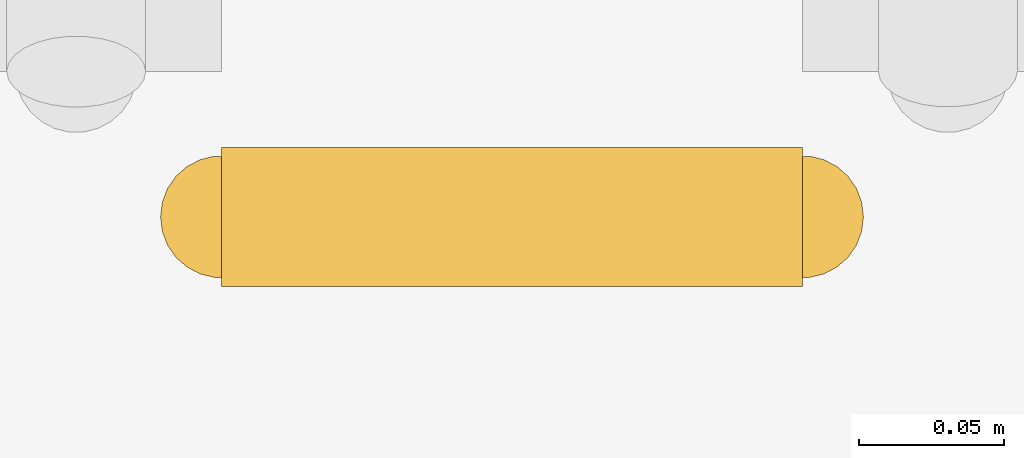
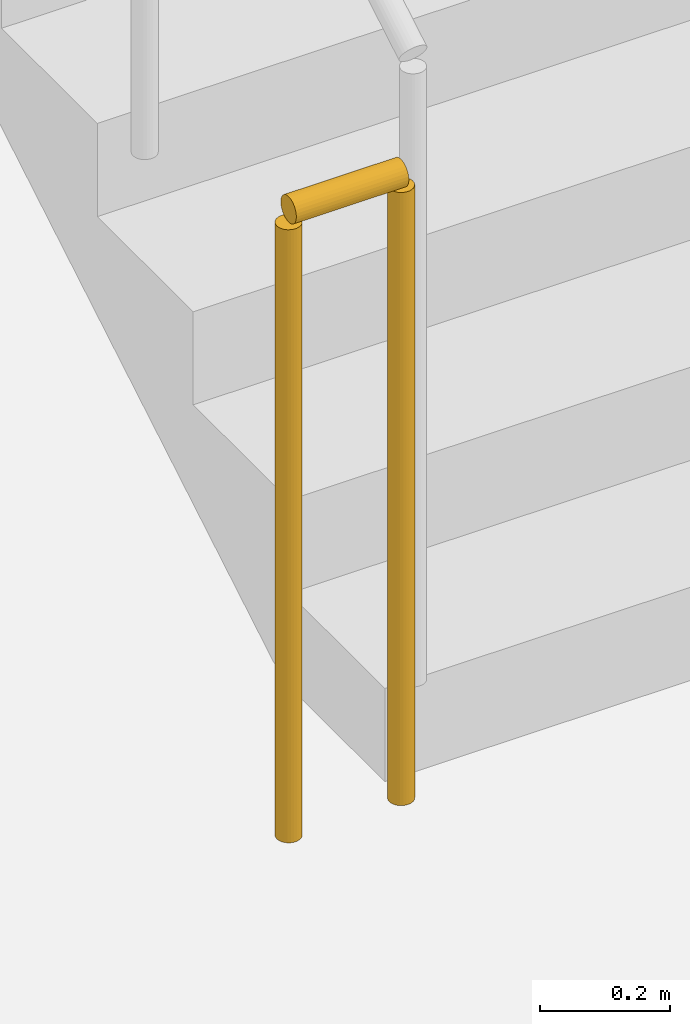
# One storey, part 29 of 33: 1 railing.
"""IFC4 building model written with IfcOpenShell, lengths in metres."""

from ifc_helpers import new_model, si_unit, direction, frame, origin, origin_2d, place, context, subcontext, project, spatial, circle, extrude, material, layer, layer_set, type_object, element, save


model = new_model("IFC4")

# Units and contexts
model_context = context("Model", 3, precision=1e-05, world=origin(), true_north=direction((0.0, 1.0)))
body_context = subcontext(model_context, "Body", "Model", "MODEL_VIEW")
ifc_project = project(units=[si_unit("LENGTHUNIT", "METRE"), si_unit("AREAUNIT", "SQUARE_METRE"), si_unit("VOLUMEUNIT", "CUBIC_METRE"), si_unit("PLANEANGLEUNIT", "RADIAN"), si_unit("MASSUNIT", "GRAM", prefix="KILO")], contexts=[model_context])

# Site, building, storey
site_placement = place(None, origin())
site = spatial("IfcSite", under=ifc_project, at=site_placement, CompositionType="ELEMENT")
building_placement = place(site_placement, origin())
building = spatial("IfcBuilding", under=site, at=building_placement, Name="Nordkorset Police Headquarters", CompositionType="ELEMENT")
storey_placement = place(building_placement, frame((0.0, 0.0, -9.800048828125)))
storey = spatial("IfcBuildingStorey", under=building, at=storey_placement, Name="B02", CompositionType="ELEMENT", Elevation=-9.800048828125)

# Railing
ifc_material = material(Name="Steel S355J2", Category="steel")
ifc_layer = layer(ifc_material, 0.050048828125, Name="Steel S355J2")
ifc_layer_set = layer_set([ifc_layer], Name="Steel S355J2")
railing_type = type_object("IfcRailingType", Name="Railing_StairGuard_1200", PredefinedType="GUARDRAIL", material=ifc_layer_set)
railing_placement = place(storey_placement, frame((21.875, 89.574951171875, 0.0)))
element("IfcRailing", 1, at=railing_placement, inside=storey, type_object=railing_type, Name="B02 ST-03 stair guard 4", PredefinedType="GUARDRAIL", context=body_context, shape_type="SweptSolid", body=[
    extrude(circle(Radius=0.02392578125, at=origin_2d()), frame((0.0, 0.0, 1.17578125), z_axis=(-1.0, 0.0, 0.0), x_axis=(0.0, -1.0, 0.0)), (0.0, 0.0, 1.0), 0.199951171875),
    extrude(circle(Radius=0.02099609375, at=origin_2d()), origin(), (0.0, 0.0, 1.0), 1.15185546875),
    extrude(circle(Radius=0.02099609375, at=origin_2d()), frame((-0.199951171875, 0.0, 0.0)), (0.0, 0.0, 1.0), 1.15185546875),
])

save(model, "model.ifc")
